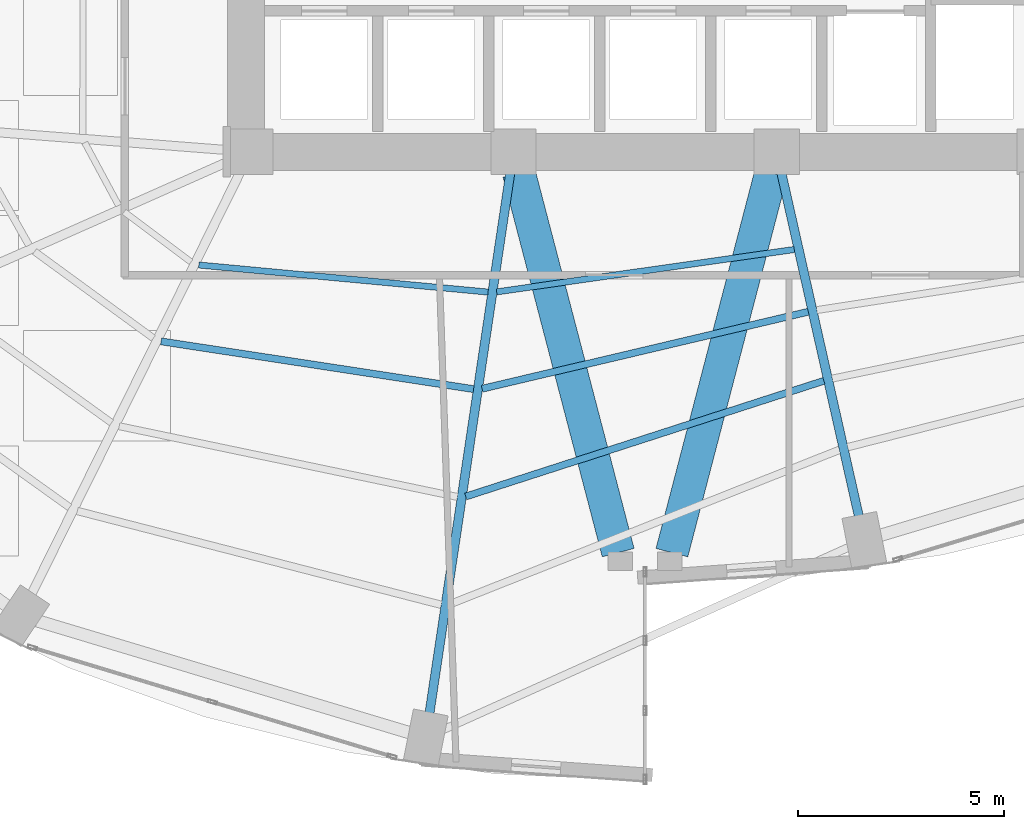
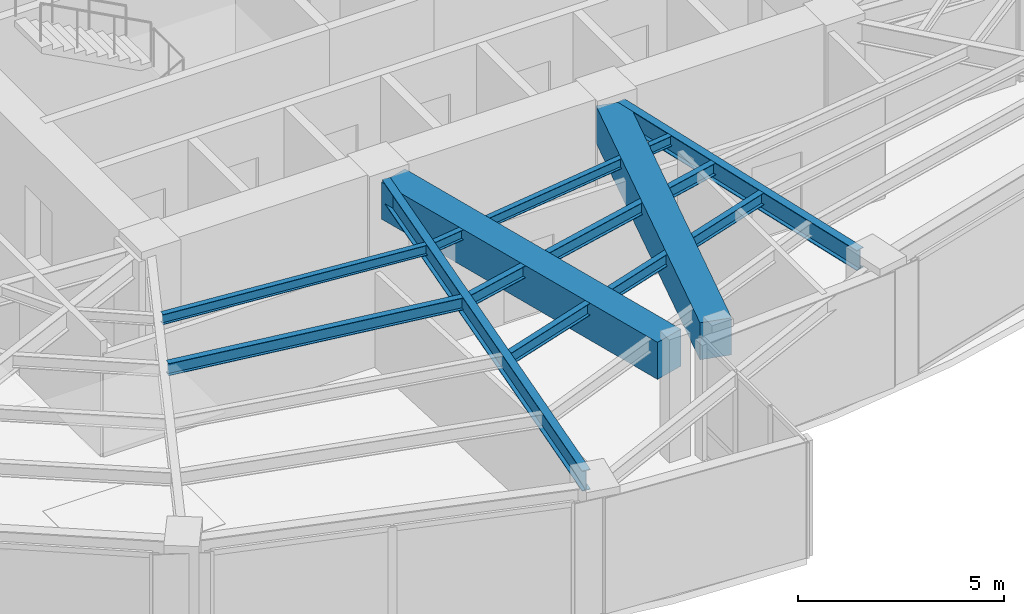
# One storey, part 7 of 25: 9 beams.
"""IFC4 building model written with IfcOpenShell, lengths in metres."""

from ifc_helpers import new_model, si_unit, direction, frame, origin, origin_2d, place, context, subcontext, project, spatial, rectangle, i_section, extrude, material, material_profile, profile_set, type_object, element, save


model = new_model("IFC4")

# Units and contexts
model_context = context("Model", 3, precision=1e-05, world=origin(), true_north=direction((0.0, 1.0)))
body_context = subcontext(model_context, "Body", "Model", "MODEL_VIEW")
ifc_project = project(units=[si_unit("LENGTHUNIT", "METRE"), si_unit("AREAUNIT", "SQUARE_METRE"), si_unit("VOLUMEUNIT", "CUBIC_METRE"), si_unit("PLANEANGLEUNIT", "RADIAN"), si_unit("MASSUNIT", "GRAM", prefix="KILO")], contexts=[model_context])

# Site, building, storey
site_placement = place(None, origin())
site = spatial("IfcSite", under=ifc_project, at=site_placement, CompositionType="ELEMENT")
building_placement = place(site_placement, origin())
building = spatial("IfcBuilding", under=site, at=building_placement, Name="Lazwardi Medical Tower", CompositionType="ELEMENT")
storey_placement = place(building_placement, frame((0.0, 0.0, 47.087890625)))
storey = spatial("IfcBuildingStorey", under=building, at=storey_placement, Name="L11", CompositionType="ELEMENT", Elevation=47.087890625)

# Beams
ifc_material_1 = material(Name="Concrete C70/85", Category="concrete")
ifc_material_profile_1 = material_profile(ifc_material_1, rectangle(XDim=0.800048828125, YDim=1.10009765625, at=origin_2d()), Name="RC 800x1100")
ifc_profile_set_1 = profile_set([ifc_material_profile_1], Name="Concrete C70/85")
beam_type_1 = type_object("IfcBeamType", Name="BM-CB-RC1", PredefinedType="LINTEL", material=ifc_profile_set_1)
for number, where, z_axis, x_axis, name in (
    (1, (32.935302734375, 19.88232421875, 2.878173828125), (0.252819877511, -0.967513364009, 0.0), (0.967513364009, 0.252819877511, 0.0), "Core coupling lintel CB-01 PL3 L11"),
    (2, (39.064697265625, 19.88232421875, 2.878173828125), (-0.252819877511, -0.967513364009, 0.0), (0.967513364009, -0.252819877511, 0.0), "Core coupling lintel CB-01 PL4 L11"),
):
    element("IfcBeam", number, at=place(storey_placement, frame(where, z_axis=z_axis, x_axis=x_axis)), inside=storey, type_object=beam_type_1, Name=name, PredefinedType="LINTEL", context=body_context, shape_type="SweptSolid", body=[
        extrude(rectangle(XDim=0.800048828125, YDim=1.10009765625, at=origin_2d()), origin(), (0.0, 0.0, 1.0), 9.538818359375),
    ])
ifc_material_2 = material(Name="Steel S355", Category="steel")
ifc_material_profile_2 = material_profile(ifc_material_2, i_section(OverallWidth=0.219970703125, OverallDepth=0.60009765625, WebThickness=0.011962890625, FlangeThickness=0.01904296875, at=origin_2d()), Name="IPE 600")
ifc_profile_set_2 = profile_set([ifc_material_profile_2], Name="Steel S355")
beam_type_2 = type_object("IfcBeamType", Name="BM-RG-W1", PredefinedType="BEAM", material=ifc_profile_set_2)
beam_1_placement = place(storey_placement, frame((41.203125, 11.521728515625, 3.128173828125), z_axis=(-0.22010079219, 0.975477135189, 0.0), x_axis=(-0.975477135189, -0.22010079219, 0.0)))
element("IfcBeam", 3, at=beam_1_placement, inside=storey, type_object=beam_type_2, Name="Radial girder RG-02 R01 L11", PredefinedType="BEAM", context=body_context, shape_type="SweptSolid", body=[
    extrude(i_section(OverallWidth=0.219970703125, OverallDepth=0.60009765625, WebThickness=0.011962890625, FlangeThickness=0.01904296875, at=origin_2d()), origin(), (0.0, 0.0, 1.0), 8.56640625),
])
beam_2_placement = place(storey_placement, frame((30.7548828125, 6.7294921875, 3.128173828125), z_axis=(0.147944218183, 0.98899570692, 0.0), x_axis=(-0.98899570692, 0.147944218183, 0.0)))
element("IfcBeam", 4, at=beam_2_placement, inside=storey, type_object=beam_type_2, Name="Radial girder RG-02 R16 L11", PredefinedType="BEAM", context=body_context, shape_type="SweptSolid", body=[
    extrude(i_section(OverallWidth=0.219970703125, OverallDepth=0.60009765625, WebThickness=0.011962890625, FlangeThickness=0.01904296875, at=origin_2d()), origin(), (0.0, 0.0, 1.0), 13.28759765625),
])
ifc_material_profile_3 = material_profile(ifc_material_2, i_section(OverallWidth=0.169921875, OverallDepth=0.360107421875, WebThickness=0.008056640625, FlangeThickness=0.0126953125, at=origin_2d()), Name="IPE 360")
ifc_profile_set_3 = profile_set([ifc_material_profile_3], Name="Steel S355")
beam_type_3 = type_object("IfcBeamType", Name="BM-SJ-02", PredefinedType="JOIST", material=ifc_profile_set_3)
beam_3_placement = place(storey_placement, frame((31.64111328125, 12.018310546875, 3.248046875), z_axis=(0.951558895485, 0.307466532199, 0.0), x_axis=(-0.307466532199, 0.951558895485, 0.0)))
element("IfcBeam", 5, at=beam_3_placement, inside=storey, type_object=beam_type_3, Name="Secondary joist SJ-02 R2 B16 L11", PredefinedType="JOIST", context=body_context, shape_type="SweptSolid", body=[
    extrude(i_section(OverallWidth=0.169921875, OverallDepth=0.360107421875, WebThickness=0.008056640625, FlangeThickness=0.0126953125, at=origin_2d()), origin(), (0.0, 0.0, 1.0), 9.1513671875),
])
beam_4_placement = place(storey_placement, frame((24.23193359375, 15.790771484375, 3.248046875), z_axis=(0.988535611365, -0.150987897074, 0.0), x_axis=(0.150987897074, 0.988535611365, 0.0)))
element("IfcBeam", 6, at=beam_4_placement, inside=storey, type_object=beam_type_3, Name="Secondary joist SJ-02 R3 B15 L11", PredefinedType="JOIST", context=body_context, shape_type="SweptSolid", body=[
    extrude(i_section(OverallWidth=0.169921875, OverallDepth=0.360107421875, WebThickness=0.008056640625, FlangeThickness=0.0126953125, at=origin_2d()), origin(), (0.0, 0.0, 1.0), 7.68701171875),
])
beam_5_placement = place(storey_placement, frame((32.03662109375, 14.638427734375, 3.248046875), z_axis=(0.973240904247, 0.229787167397, 0.0), x_axis=(-0.229787167397, 0.973240904247, 0.0)))
element("IfcBeam", 7, at=beam_5_placement, inside=storey, type_object=beam_type_3, Name="Secondary joist SJ-02 R3 B16 L11", PredefinedType="JOIST", context=body_context, shape_type="SweptSolid", body=[
    extrude(i_section(OverallWidth=0.169921875, OverallDepth=0.360107421875, WebThickness=0.008056640625, FlangeThickness=0.0126953125, at=origin_2d()), origin(), (0.0, 0.0, 1.0), 8.151123046875),
])
ifc_material_profile_4 = material_profile(ifc_material_2, i_section(OverallWidth=0.14990234375, OverallDepth=0.300048828125, WebThickness=0.007080078125, FlangeThickness=0.0107421875, at=origin_2d()), Name="IPE 300")
ifc_profile_set_4 = profile_set([ifc_material_profile_4], Name="Steel S355")
beam_type_4 = type_object("IfcBeamType", Name="BM-SJ-03", PredefinedType="JOIST", material=ifc_profile_set_4)
beam_6_placement = place(storey_placement, frame((25.148193359375, 17.64794921875, 3.278076171875), z_axis=(0.995649263748, -0.093180167407, 0.0), x_axis=(0.093180167407, 0.995649263748, 0.0)))
element("IfcBeam", 8, at=beam_6_placement, inside=storey, type_object=beam_type_4, Name="Secondary joist SJ-03 R4 B15 L11", PredefinedType="JOIST", context=body_context, shape_type="SweptSolid", body=[
    extrude(i_section(OverallWidth=0.14990234375, OverallDepth=0.300048828125, WebThickness=0.007080078125, FlangeThickness=0.0107421875, at=origin_2d()), origin(), (0.0, 0.0, 1.0), 7.06640625),
])
beam_7_placement = place(storey_placement, frame((32.392333984375, 16.99462890625, 3.278076171875), z_axis=(0.99001552228, 0.140958382672, 0.0), x_axis=(-0.140958382672, 0.99001552228, 0.0)))
element("IfcBeam", 9, at=beam_7_placement, inside=storey, type_object=beam_type_4, Name="Secondary joist SJ-03 R4 B16 L11", PredefinedType="JOIST", context=body_context, shape_type="SweptSolid", body=[
    extrude(i_section(OverallWidth=0.14990234375, OverallDepth=0.300048828125, WebThickness=0.007080078125, FlangeThickness=0.0107421875, at=origin_2d()), origin(), (0.0, 0.0, 1.0), 7.30908203125),
])

save(model, "model.ifc")
